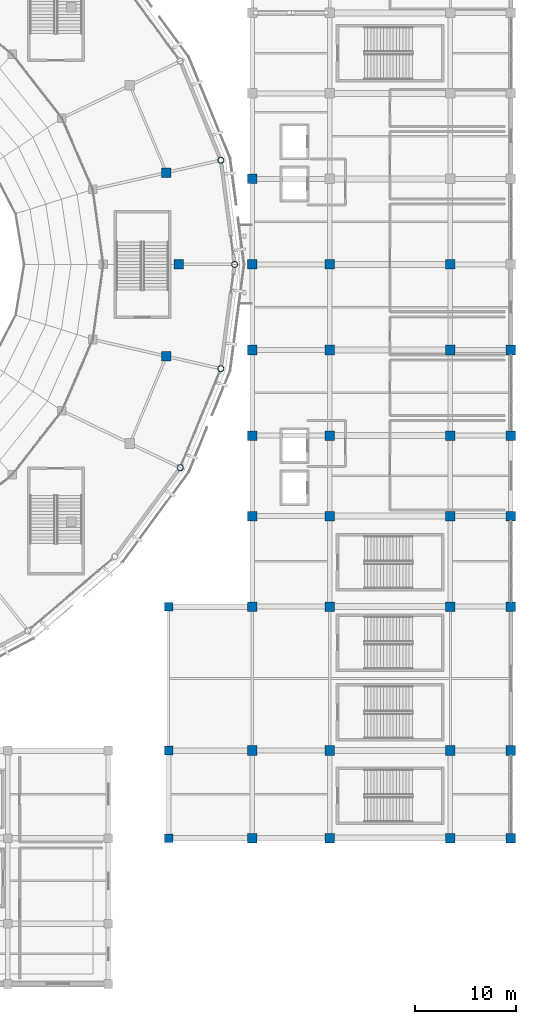
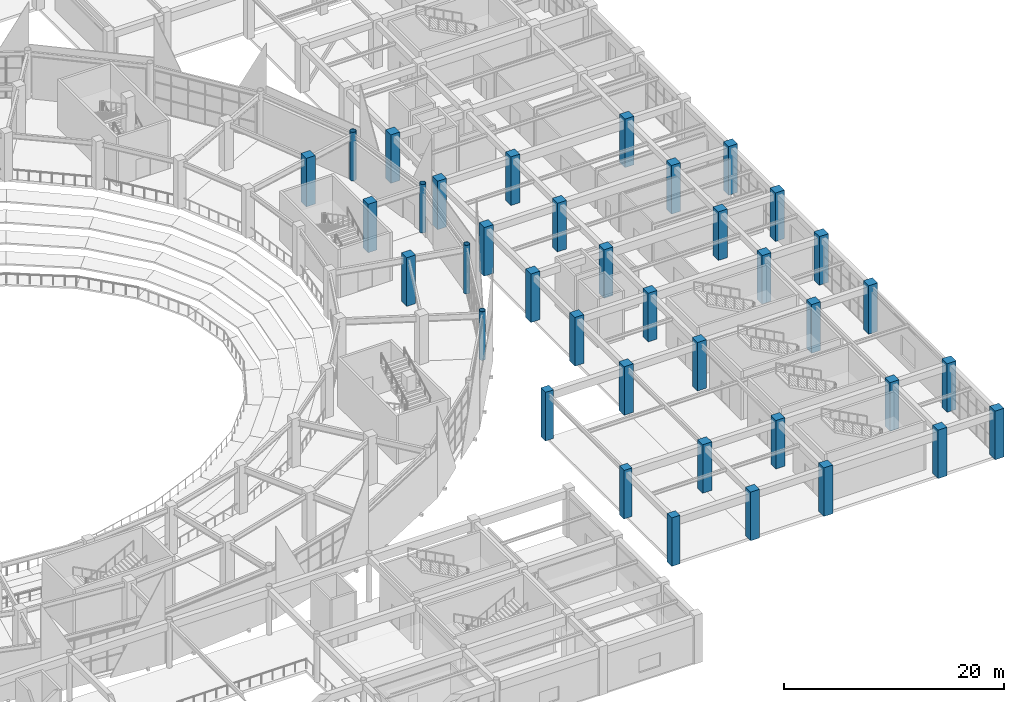
# One storey, part 10 of 120: 38 columns.
"""IFC4 building model written with IfcOpenShell, lengths in metres."""

from ifc_helpers import new_model, si_unit, direction, frame, origin, origin_2d, place, context, subcontext, project, spatial, rectangle, hollow_circle, extrude, material, material_profile, profile_set, type_object, element, save


model = new_model("IFC4")

# Units and contexts
model_context = context("Model", 3, precision=1e-05, world=origin(), true_north=direction((0.0, 1.0)))
body_context = subcontext(model_context, "Body", "Model", "MODEL_VIEW")
ifc_project = project(units=[si_unit("LENGTHUNIT", "METRE"), si_unit("AREAUNIT", "SQUARE_METRE"), si_unit("VOLUMEUNIT", "CUBIC_METRE"), si_unit("PLANEANGLEUNIT", "RADIAN"), si_unit("MASSUNIT", "GRAM", prefix="KILO")], contexts=[model_context])

# Site, building, storey
site_placement = place(None, origin())
site = spatial("IfcSite", under=ifc_project, at=site_placement, CompositionType="ELEMENT")
building_placement = place(site_placement, origin())
building = spatial("IfcBuilding", under=site, at=building_placement, Name="Cuetzalor Civic Arena", CompositionType="ELEMENT")
storey_placement = place(building_placement, frame((0.0, 0.0, 6.0)))
storey = spatial("IfcBuildingStorey", under=building, at=storey_placement, Name="L01", CompositionType="ELEMENT", Elevation=6.0)

# Columns
ifc_material_1 = material(Name="Concrete C40/50", Category="concrete")
ifc_material_profile_1 = material_profile(ifc_material_1, rectangle(XDim=0.85009765625, YDim=0.85009765625, at=origin_2d()), Name="RC 850x850")
ifc_profile_set_1 = profile_set([ifc_material_profile_1], Name="Concrete C40/50")
column_type_1 = type_object("IfcColumnType", Name="ConcreteColumn_850", PredefinedType="COLUMN", material=ifc_profile_set_1)
for number, where, z_axis, x_axis, name in (
    (1, (48.0, -57.0, 0.0), (0.0, 0.0, 1.0), (1.0, 0.0, 0.0), "Column V4E-RET-01 L01"),
    (2, (48.0, -48.300048828125, 0.0), (0.0, 0.0, 1.0), (1.0, 0.0, 0.0), "Column V4E-RET-02 L01"),
    (3, (48.0, -34.0, 0.0), (0.0, 0.0, 1.0), (1.0, 0.0, 0.0), "Column V4E-RET-03 L01"),
):
    element("IfcColumn", number, at=place(storey_placement, frame(where, z_axis=z_axis, x_axis=x_axis)), inside=storey, type_object=column_type_1, Name=name, PredefinedType="COLUMN", context=body_context, shape_type="SweptSolid", body=[
        extrude(rectangle(XDim=0.85009765625, YDim=0.85009765625, at=origin_2d()), origin(), (0.0, 0.0, 1.0), 5.39990234375),
    ])
ifc_material_2 = material(Name="Concrete C40/50", Category="concrete")
ifc_material_profile_2 = material_profile(ifc_material_2, rectangle(XDim=0.949951171875, YDim=0.949951171875, at=origin_2d()), Name="RC 950x950")
ifc_profile_set_2 = profile_set([ifc_material_profile_2], Name="Concrete C40/50")
column_type_2 = type_object("IfcColumnType", Name="ConcreteColumn_950", PredefinedType="COLUMN", material=ifc_profile_set_2)
for number, where, z_axis, x_axis, name in (
    (4, (49.0, 0.0, 0.0), (0.0, 0.0, 1.0), (1.0, 0.0, 0.0), "Column V1-REC-01 L01"),
    (5, (47.771484375, 9.123291015625, 0.0), (0.0, 0.0, 1.0), (1.0, 0.0, 0.0), "Column V1-REC-02 L01"),
    (6, (47.771484375, -9.123291015625, 0.0), (0.0, 0.0, 1.0), (1.0, 0.0, 0.0), "Column V1-REC-28 L01"),
    (7, (56.300048828125, -57.0, 0.0), (0.0, 0.0, 1.0), (1.0, 0.0, 0.0), "Column V4E-C-01-01 L01"),
    (8, (56.300048828125, -48.300048828125, 0.0), (0.0, 0.0, 1.0), (1.0, 0.0, 0.0), "Column V4E-C-01-02 L01"),
    (9, (56.300048828125, -34.0, 0.0), (0.0, 0.0, 1.0), (1.0, 0.0, 0.0), "Column V4E-C-01-03 L01"),
    (10, (56.300048828125, -25.0, 0.0), (0.0, 0.0, 1.0), (1.0, 0.0, 0.0), "Column V4E-C-01-04 L01"),
    (11, (56.300048828125, -17.0, 0.0), (0.0, 0.0, 1.0), (1.0, 0.0, 0.0), "Column V4E-C-01-05 L01"),
    (12, (56.300048828125, -8.5, 0.0), (0.0, 0.0, 1.0), (1.0, 0.0, 0.0), "Column V4E-C-01-06 L01"),
    (13, (56.300048828125, 0.0, 0.0), (0.0, 0.0, 1.0), (1.0, 0.0, 0.0), "Column V4E-C-01-07 L01"),
    (14, (56.300048828125, 8.5, 0.0), (0.0, 0.0, 1.0), (1.0, 0.0, 0.0), "Column V4E-C-01-08 L01"),
    (15, (64.0, -57.0, 0.0), (0.0, 0.0, 1.0), (1.0, 0.0, 0.0), "Column V4E-C-02-01 L01"),
    (16, (64.0, -48.300048828125, 0.0), (0.0, 0.0, 1.0), (1.0, 0.0, 0.0), "Column V4E-C-02-02 L01"),
    (17, (64.0, -34.0, 0.0), (0.0, 0.0, 1.0), (1.0, 0.0, 0.0), "Column V4E-C-02-03 L01"),
    (18, (64.0, -25.0, 0.0), (0.0, 0.0, 1.0), (1.0, 0.0, 0.0), "Column V4E-C-02-04 L01"),
    (19, (64.0, -17.0, 0.0), (0.0, 0.0, 1.0), (1.0, 0.0, 0.0), "Column V4E-C-02-05 L01"),
    (20, (64.0, -8.5, 0.0), (0.0, 0.0, 1.0), (1.0, 0.0, 0.0), "Column V4E-C-02-06 L01"),
    (21, (64.0, 0.0, 0.0), (0.0, 0.0, 1.0), (1.0, 0.0, 0.0), "Column V4E-C-02-07 L01"),
    (22, (76.0, -57.0, 0.0), (0.0, 0.0, 1.0), (1.0, 0.0, 0.0), "Column V4E-C-03-01 L01"),
    (23, (76.0, -48.300048828125, 0.0), (0.0, 0.0, 1.0), (1.0, 0.0, 0.0), "Column V4E-C-03-02 L01"),
    (24, (76.0, -34.0, 0.0), (0.0, 0.0, 1.0), (1.0, 0.0, 0.0), "Column V4E-C-03-03 L01"),
    (25, (76.0, -25.0, 0.0), (0.0, 0.0, 1.0), (1.0, 0.0, 0.0), "Column V4E-C-03-04 L01"),
    (26, (76.0, -17.0, 0.0), (0.0, 0.0, 1.0), (1.0, 0.0, 0.0), "Column V4E-C-03-05 L01"),
    (27, (76.0, -8.5, 0.0), (0.0, 0.0, 1.0), (1.0, 0.0, 0.0), "Column V4E-C-03-06 L01"),
    (28, (76.0, 0.0, 0.0), (0.0, 0.0, 1.0), (1.0, 0.0, 0.0), "Column V4E-C-03-07 L01"),
    (29, (82.0, -57.0, 0.0), (0.0, 0.0, 1.0), (1.0, 0.0, 0.0), "Column V4E-C-04-01 L01"),
    (30, (82.0, -48.300048828125, 0.0), (0.0, 0.0, 1.0), (1.0, 0.0, 0.0), "Column V4E-C-04-02 L01"),
    (31, (82.0, -34.0, 0.0), (0.0, 0.0, 1.0), (1.0, 0.0, 0.0), "Column V4E-C-04-03 L01"),
    (32, (82.0, -25.0, 0.0), (0.0, 0.0, 1.0), (1.0, 0.0, 0.0), "Column V4E-C-04-04 L01"),
    (33, (82.0, -17.0, 0.0), (0.0, 0.0, 1.0), (1.0, 0.0, 0.0), "Column V4E-C-04-05 L01"),
    (34, (82.0, -8.5, 0.0), (0.0, 0.0, 1.0), (1.0, 0.0, 0.0), "Column V4E-C-04-06 L01"),
):
    element("IfcColumn", number, at=place(storey_placement, frame(where, z_axis=z_axis, x_axis=x_axis)), inside=storey, type_object=column_type_2, Name=name, PredefinedType="COLUMN", context=body_context, shape_type="SweptSolid", body=[
        extrude(rectangle(XDim=0.949951171875, YDim=0.949951171875, at=origin_2d()), origin(), (0.0, 0.0, 1.0), 5.39990234375),
    ])
ifc_material_3 = material(Name="Steel S355", Category="steel")
ifc_material_profile_3 = material_profile(ifc_material_3, hollow_circle(Radius=0.304931640625, WallThickness=0.02490234375, at=origin_2d()), Name="CHS 610x25")
ifc_profile_set_3 = profile_set([ifc_material_profile_3], Name="Steel S355")
column_type_3 = type_object("IfcColumnType", Name="SteelDomePylon_CHS610", PredefinedType="COLUMN", material=ifc_profile_set_3)
for number, where, z_axis, x_axis, name in (
    (35, (54.550048828125, 0.0, 0.0), (0.0, 0.0, 1.0), (1.0, 0.0, 0.0), "Column V1-PYL-01 L01"),
    (36, (53.182373046875, 10.3583984375, 0.0), (0.0, 0.0, 1.0), (1.0, 0.0, 0.0), "Column V1-PYL-02 L01"),
    (37, (49.14794921875, -20.197265625, 0.0), (0.0, 0.0, 1.0), (1.0, 0.0, 0.0), "Column V1-PYL-27 L01"),
    (38, (53.182373046875, -10.3583984375, 0.0), (0.0, 0.0, 1.0), (1.0, 0.0, 0.0), "Column V1-PYL-28 L01"),
):
    element("IfcColumn", number, at=place(storey_placement, frame(where, z_axis=z_axis, x_axis=x_axis)), inside=storey, type_object=column_type_3, Name=name, PredefinedType="COLUMN", context=body_context, shape_type="SweptSolid", body=[
        extrude(hollow_circle(Radius=0.304931640625, WallThickness=0.02490234375, at=origin_2d()), origin(), (0.0, 0.0, 1.0), 5.39990234375),
    ])

save(model, "model.ifc")
